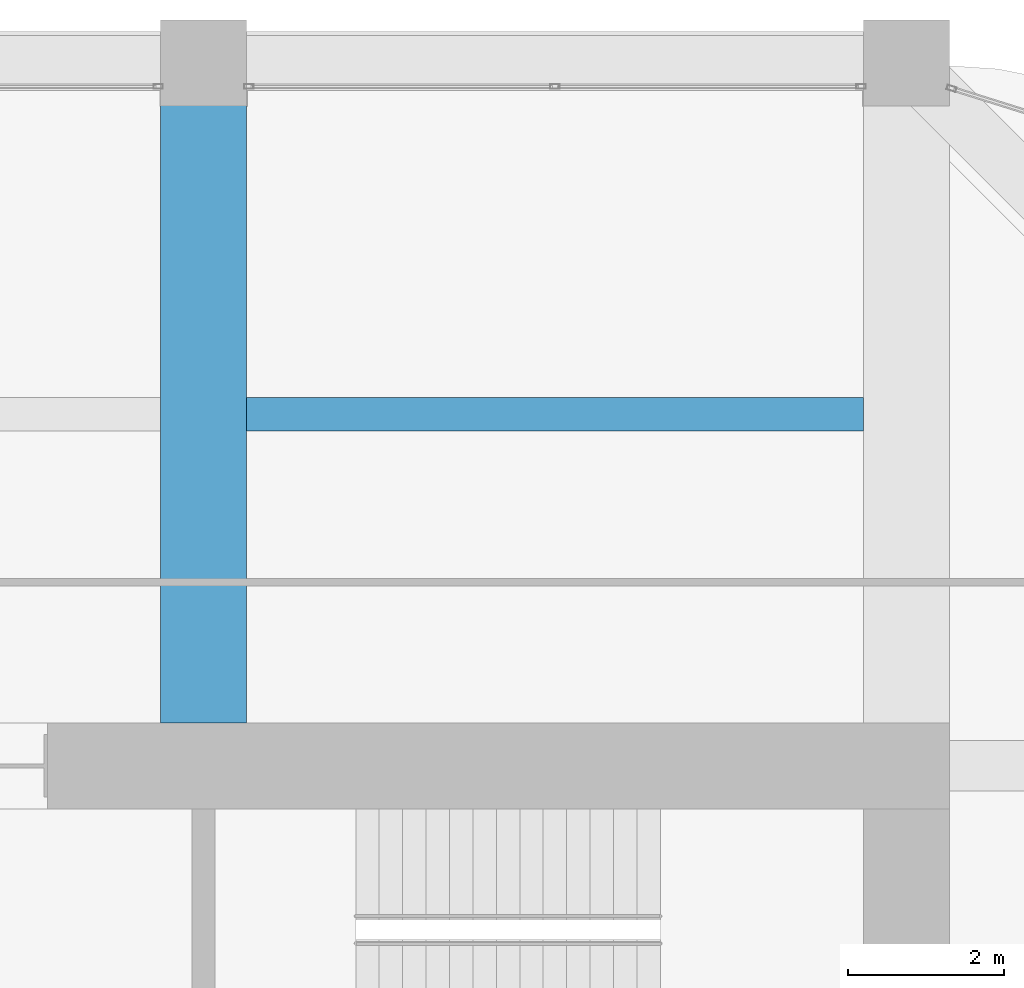
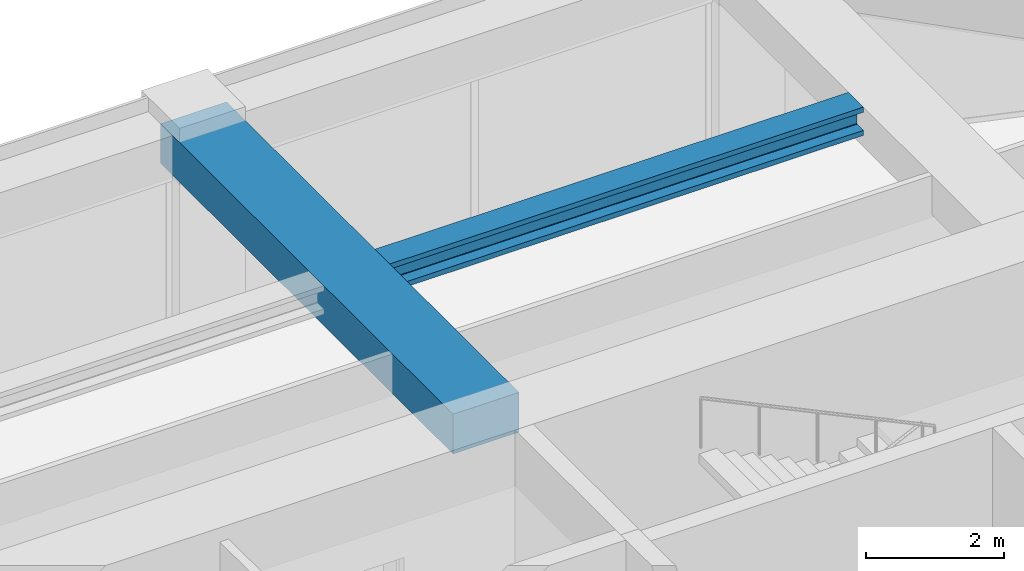
# One storey, part 34 of 44: 2 beams.
"""IFC4 building model written with IfcOpenShell, lengths in metres."""

from ifc_helpers import new_model, si_unit, direction, frame, origin, origin_2d, place, context, subcontext, project, spatial, rectangle, i_section, extrude, material, material_profile, profile_set, type_object, element, save


model = new_model("IFC4")

# Units and contexts
model_context = context("Model", 3, precision=1e-05, world=origin(), true_north=direction((0.0, 1.0)))
body_context = subcontext(model_context, "Body", "Model", "MODEL_VIEW")
ifc_project = project(units=[si_unit("LENGTHUNIT", "METRE"), si_unit("AREAUNIT", "SQUARE_METRE"), si_unit("VOLUMEUNIT", "CUBIC_METRE"), si_unit("PLANEANGLEUNIT", "RADIAN"), si_unit("MASSUNIT", "GRAM", prefix="KILO")], contexts=[model_context])

# Site, building, storey
site_placement = place(None, origin())
site = spatial("IfcSite", under=ifc_project, at=site_placement, CompositionType="ELEMENT")
building_placement = place(site_placement, origin())
building = spatial("IfcBuilding", under=site, at=building_placement, Name="Zorevar Civic Tower", CompositionType="ELEMENT")
storey_placement = place(building_placement, frame((0.0, 0.0, 275.39990234375)))
storey = spatial("IfcBuildingStorey", under=building, at=storey_placement, Name="L67", CompositionType="ELEMENT", Elevation=275.39990234375)

# Beams
ifc_material_1 = material(Name="Concrete C50/60", Category="concrete")
ifc_material_profile_1 = material_profile(ifc_material_1, rectangle(XDim=1.10009765625, YDim=0.699951171875, at=origin_2d()), Name="RC 1100x700")
ifc_profile_set_1 = profile_set([ifc_material_profile_1], Name="Concrete C50/60")
beam_type_1 = type_object("IfcBeamType", Name="Beam RC 1100x700", PredefinedType="BEAM", material=ifc_profile_set_1)
beam_1_placement = place(storey_placement, frame((36.0, 36.550048828125, 3.400146484375), z_axis=(0.0, 1.0, 0.0), x_axis=(-1.0, 0.0, 0.0)))
element("IfcBeam", 1, at=beam_1_placement, inside=storey, type_object=beam_type_1, Name="Girder L68", PredefinedType="BEAM", context=body_context, shape_type="SweptSolid", body=[
    extrude(rectangle(XDim=1.10009765625, YDim=0.699951171875, at=origin_2d()), origin(), (0.0, 0.0, 1.0), 8.449951171875),
])
ifc_material_2 = material(Name="Steel S460M (HISTAR 460)", Category="steel")
ifc_material_profile_2 = material_profile(ifc_material_2, i_section(OverallWidth=0.431884765625, OverallDepth=0.498046875, WebThickness=0.0556640625, FlangeThickness=0.0888671875, FilletRadius=0.014892578125, at=origin_2d()), Name="HD 400x744")
ifc_profile_set_2 = profile_set([ifc_material_profile_2], Name="Steel S460M (HISTAR 460)")
beam_type_2 = type_object("IfcBeamType", Name="Core bay beam HD 400x744", PredefinedType="BEAM", material=ifc_profile_set_2)
beam_2_placement = place(storey_placement, frame((36.550048828125, 40.5, 3.5009765625), z_axis=(1.0, 0.0, 0.0), x_axis=(0.0, 1.0, 0.0)))
element("IfcBeam", 2, at=beam_2_placement, inside=storey, type_object=beam_type_2, Name="Secondary beam L68", PredefinedType="BEAM", context=body_context, shape_type="SweptSolid", body=[
    extrude(i_section(OverallWidth=0.431884765625, OverallDepth=0.498046875, WebThickness=0.0556640625, FlangeThickness=0.0888671875, FilletRadius=0.014892578125, at=origin_2d()), origin(), (0.0, 0.0, 1.0), 7.89990234375),
])

save(model, "model.ifc")
